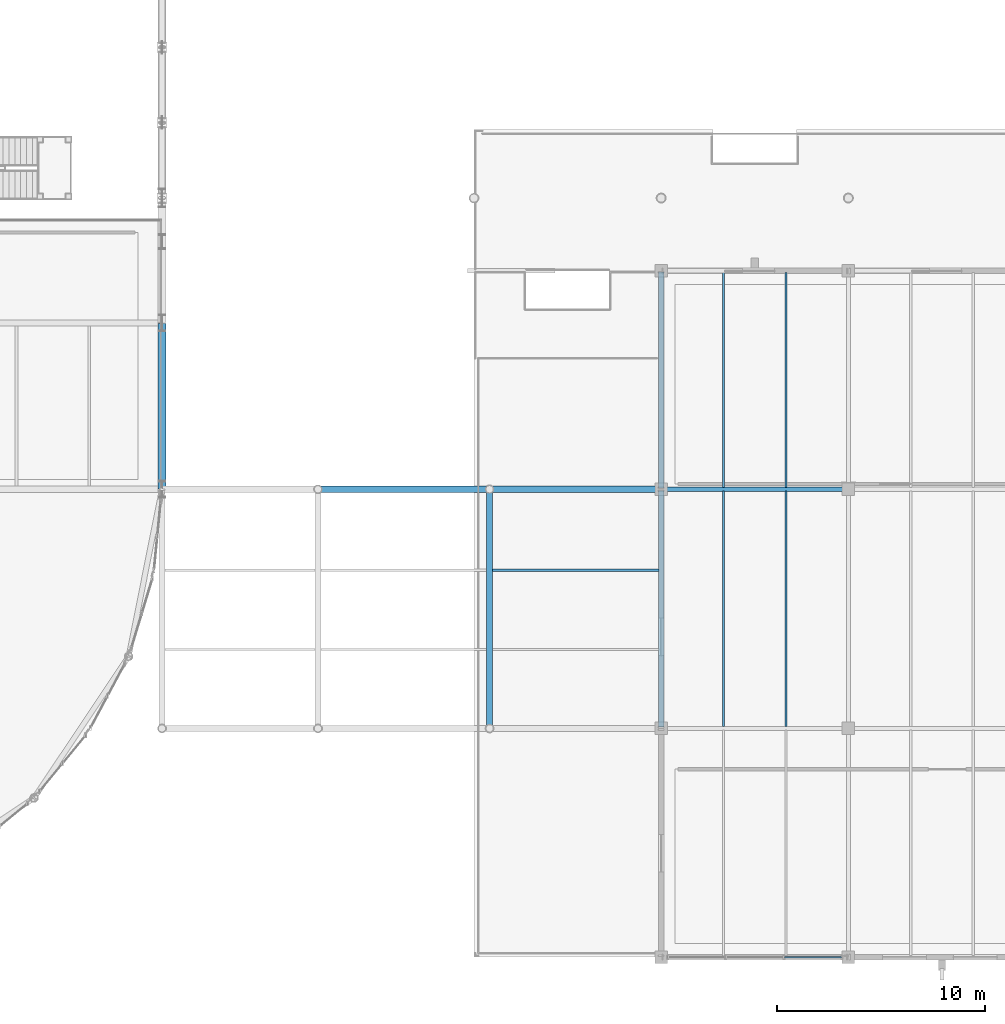
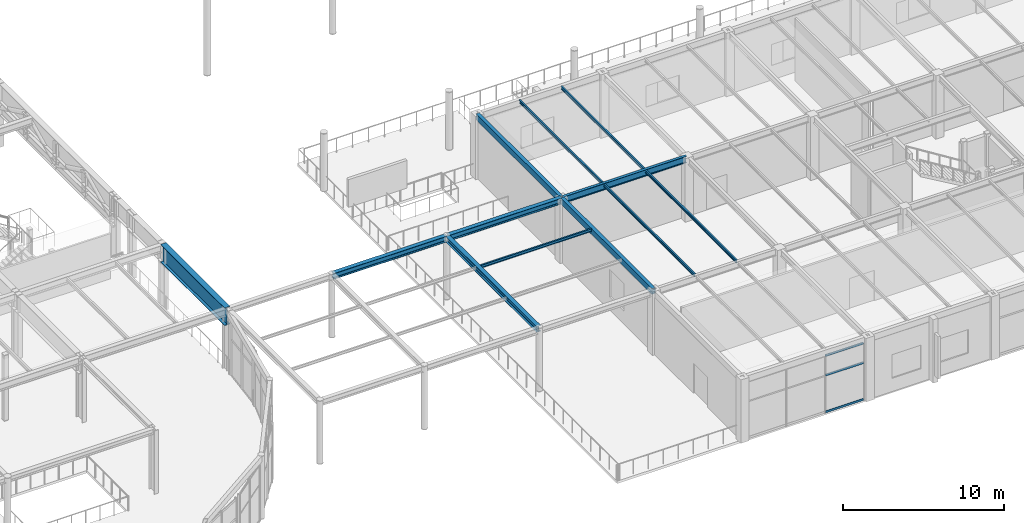
# One storey, part 52 of 143: 12 beams, 3 members, 1 element without a shape of its own.
"""IFC4 building model written with IfcOpenShell, lengths in metres."""

from ifc_helpers import new_model, si_unit, direction, frame, origin, origin_2d, place, context, subcontext, project, spatial, hollow_rectangle, i_section, extrude, material, layer, layer_set, material_profile, profile_set, type_object, element, aggregate, save


model = new_model("IFC4")

# Units and contexts
model_context = context("Model", 3, precision=1e-05, world=origin(), true_north=direction((0.0, 1.0)))
body_context = subcontext(model_context, "Body", "Model", "MODEL_VIEW")
ifc_project = project(units=[si_unit("LENGTHUNIT", "METRE"), si_unit("AREAUNIT", "SQUARE_METRE"), si_unit("VOLUMEUNIT", "CUBIC_METRE"), si_unit("PLANEANGLEUNIT", "RADIAN"), si_unit("MASSUNIT", "GRAM", prefix="KILO")], contexts=[model_context])

# Site, building, storey
site_placement = place(None, origin())
site = spatial("IfcSite", under=ifc_project, at=site_placement, CompositionType="ELEMENT")
building_placement = place(site_placement, origin())
building = spatial("IfcBuilding", under=site, at=building_placement, Name="Marlcrest Central Station", CompositionType="ELEMENT")
storey_placement = place(building_placement, frame((0.0, 0.0, 4.800048828125)))
storey = spatial("IfcBuildingStorey", under=building, at=storey_placement, Name="L01", CompositionType="ELEMENT", Elevation=4.800048828125)

# Beams
ifc_material_1 = material(Name="Steel S355", Category="steel")
ifc_material_profile_1 = material_profile(ifc_material_1, i_section(OverallWidth=0.199951171875, OverallDepth=0.5, WebThickness=0.01025390625, FlangeThickness=0.01611328125, FilletRadius=0.02099609375, at=origin_2d()), Name="IPE 500")
ifc_profile_set_1 = profile_set([ifc_material_profile_1], Name="Steel S355")
beam_type_1 = type_object("IfcBeamType", Name="BM-05", PredefinedType="BEAM", material=ifc_profile_set_1)
beam_1_placement = place(storey_placement, frame((153.06005859375, 22.5, 4.56494140625), z_axis=(1.0, 0.0, 0.0), x_axis=(0.0, 1.0, 0.0)))
element("IfcBeam", 1, at=beam_1_placement, inside=storey, type_object=beam_type_1, Name="bm-BM-05-L01-00873", PredefinedType="BEAM", context=body_context, shape_type="SweptSolid", body=[
    extrude(i_section(OverallWidth=0.199951171875, OverallDepth=0.5, WebThickness=0.01025390625, FlangeThickness=0.01611328125, FilletRadius=0.02099609375, at=origin_2d()), origin(), (0.0, 0.0, 1.0), 8.8798828125),
])
ifc_material_profile_2 = material_profile(ifc_material_1, i_section(OverallWidth=0.300048828125, OverallDepth=0.43994140625, WebThickness=0.011474609375, FlangeThickness=0.02099609375, FilletRadius=0.027099609375, at=origin_2d()), Name="HEA 450")
ifc_profile_set_2 = profile_set([ifc_material_profile_2], Name="Steel S355")
beam_type_2 = type_object("IfcBeamType", Name="BM-09", PredefinedType="BEAM", material=ifc_profile_set_2)
beam_2_placement = place(storey_placement, frame((144.75, 11.050048828125, 4.594970703125), z_axis=(0.0, 1.0, 0.0), x_axis=(-1.0, 0.0, 0.0)))
element("IfcBeam", 2, at=beam_2_placement, inside=storey, type_object=beam_type_2, Name="bm-BM-09-L01-01538", PredefinedType="BEAM", context=body_context, shape_type="SweptSolid", body=[
    extrude(i_section(OverallWidth=0.300048828125, OverallDepth=0.43994140625, WebThickness=0.011474609375, FlangeThickness=0.02099609375, FilletRadius=0.027099609375, at=origin_2d()), origin(), (0.0, 0.0, 1.0), 11.39990234375),
])
for number, where, z_axis, x_axis, name in (
    (3, (136.550048828125, 22.5, 4.594970703125), (1.0, 0.0, 0.0), (0.0, 1.0, 0.0), "bm-BM-09-L01-01550"),
    (4, (144.800048828125, 22.5, 4.594970703125), (1.0, 0.0, 0.0), (0.0, 1.0, 0.0), "bm-BM-09-L01-01551"),
):
    element("IfcBeam", number, at=place(storey_placement, frame(where, z_axis=z_axis, x_axis=x_axis)), inside=storey, type_object=beam_type_2, Name=name, PredefinedType="BEAM", context=body_context, shape_type="SweptSolid", body=[
        extrude(i_section(OverallWidth=0.300048828125, OverallDepth=0.43994140625, WebThickness=0.011474609375, FlangeThickness=0.02099609375, FilletRadius=0.027099609375, at=origin_2d()), origin(), (0.0, 0.0, 1.0), 8.14990234375),
    ])
ifc_material_profile_3 = material_profile(ifc_material_1, i_section(OverallWidth=0.110107421875, OverallDepth=0.219970703125, WebThickness=0.005859375, FlangeThickness=0.00927734375, FilletRadius=0.011962890625, at=origin_2d()), Name="IPE 220")
ifc_profile_set_3 = profile_set([ifc_material_profile_3], Name="Steel S355")
beam_type_3 = type_object("IfcBeamType", Name="JS-02", PredefinedType="JOIST", material=ifc_profile_set_3)
beam_3_placement = place(storey_placement, frame((156.0, 11.0830078125, 4.704833984375), z_axis=(0.0, 1.0, 0.0), x_axis=(-1.0, 0.0, 0.0)))
element("IfcBeam", 5, at=beam_3_placement, inside=storey, type_object=beam_type_3, Name="bm-JS-02-L01-00912", PredefinedType="JOIST", context=body_context, shape_type="SweptSolid", body=[
    extrude(i_section(OverallWidth=0.110107421875, OverallDepth=0.219970703125, WebThickness=0.005859375, FlangeThickness=0.00927734375, FilletRadius=0.011962890625, at=origin_2d()), origin(), (0.0, 0.0, 1.0), 11.333984375),
])
beam_4_placement = place(storey_placement, frame((156.0, 22.5830078125, 4.704833984375), z_axis=(0.0, 1.0, 0.0), x_axis=(-1.0, 0.0, 0.0)))
element("IfcBeam", 6, at=beam_4_placement, inside=storey, type_object=beam_type_3, Name="bm-JS-02-L01-00913", PredefinedType="JOIST", context=body_context, shape_type="SweptSolid", body=[
    extrude(i_section(OverallWidth=0.110107421875, OverallDepth=0.219970703125, WebThickness=0.005859375, FlangeThickness=0.00927734375, FilletRadius=0.011962890625, at=origin_2d()), origin(), (0.0, 0.0, 1.0), 10.333984375),
])
beam_5_placement = place(storey_placement, frame((159.0, 11.0830078125, 4.704833984375), z_axis=(0.0, 1.0, 0.0), x_axis=(-1.0, 0.0, 0.0)))
element("IfcBeam", 7, at=beam_5_placement, inside=storey, type_object=beam_type_3, Name="bm-JS-02-L01-00915", PredefinedType="JOIST", context=body_context, shape_type="SweptSolid", body=[
    extrude(i_section(OverallWidth=0.110107421875, OverallDepth=0.219970703125, WebThickness=0.005859375, FlangeThickness=0.00927734375, FilletRadius=0.011962890625, at=origin_2d()), origin(), (0.0, 0.0, 1.0), 11.333984375),
])
beam_6_placement = place(storey_placement, frame((159.0, 22.5830078125, 4.704833984375), z_axis=(0.0, 1.0, 0.0), x_axis=(-1.0, 0.0, 0.0)))
element("IfcBeam", 8, at=beam_6_placement, inside=storey, type_object=beam_type_3, Name="bm-JS-02-L01-00916", PredefinedType="JOIST", context=body_context, shape_type="SweptSolid", body=[
    extrude(i_section(OverallWidth=0.110107421875, OverallDepth=0.219970703125, WebThickness=0.005859375, FlangeThickness=0.00927734375, FilletRadius=0.011962890625, at=origin_2d()), origin(), (0.0, 0.0, 1.0), 10.333984375),
])
beam_7_placement = place(storey_placement, frame((144.89501953125, 18.60009765625, 4.704833984375), z_axis=(1.0, 0.0, 0.0), x_axis=(0.0, 1.0, 0.0)))
element("IfcBeam", 9, at=beam_7_placement, inside=storey, type_object=beam_type_3, Name="bm-JS-02-L01-01548", PredefinedType="JOIST", context=body_context, shape_type="SweptSolid", body=[
    extrude(i_section(OverallWidth=0.110107421875, OverallDepth=0.219970703125, WebThickness=0.005859375, FlangeThickness=0.00927734375, FilletRadius=0.011962890625, at=origin_2d()), origin(), (0.0, 0.0, 1.0), 8.010009765625),
])
ifc_material_profile_4 = material_profile(ifc_material_1, hollow_rectangle(XDim=0.25, YDim=0.449951171875, WallThickness=0.01611328125, at=origin_2d()), Name="RHS 450x250x16")
ifc_profile_set_4 = profile_set([ifc_material_profile_4], Name="Steel S355")
beam_type_4 = type_object("IfcBeamType", Name="SP-02", PredefinedType="SPANDREL", material=ifc_profile_set_4)
beam_8_placement = place(storey_placement, frame((153.0, 11.06005859375, 4.58984375), z_axis=(0.0, 1.0, 0.0), x_axis=(-1.0, 0.0, 0.0)))
element("IfcBeam", 10, at=beam_8_placement, inside=storey, type_object=beam_type_4, Name="bm-SP-02-L01-00888", PredefinedType="SPANDREL", context=body_context, shape_type="SweptSolid", body=[
    extrude(hollow_rectangle(XDim=0.25, YDim=0.449951171875, WallThickness=0.01611328125, at=origin_2d()), origin(), (0.0, 0.0, 1.0), 11.3798828125),
])
beam_9_placement = place(storey_placement, frame((153.0, 22.56005859375, 4.58984375), z_axis=(0.0, 1.0, 0.0), x_axis=(-1.0, 0.0, 0.0)))
element("IfcBeam", 11, at=beam_9_placement, inside=storey, type_object=beam_type_4, Name="bm-SP-02-L01-00889", PredefinedType="SPANDREL", context=body_context, shape_type="SweptSolid", body=[
    extrude(hollow_rectangle(XDim=0.25, YDim=0.449951171875, WallThickness=0.01611328125, at=origin_2d()), origin(), (0.0, 0.0, 1.0), 10.3798828125),
])
ifc_material_profile_5 = material_profile(ifc_material_1, i_section(OverallWidth=0.39990234375, OverallDepth=1.35009765625, WebThickness=0.02197265625, FlangeThickness=0.034912109375, at=origin_2d()), Name="PG 1350x400")
ifc_profile_set_5 = profile_set([ifc_material_profile_5], Name="Steel S355")
beam_type_5 = type_object("IfcBeamType", Name="TG-01", PredefinedType="USERDEFINED", material=ifc_profile_set_5)
beam_10_placement = place(storey_placement, frame((129.0, 22.52001953125, 4.139892578125), z_axis=(0.0, 1.0, 0.0), x_axis=(-1.0, 0.0, 0.0)))
element("IfcBeam", 12, at=beam_10_placement, inside=storey, type_object=beam_type_5, Name="bm-TG-01-L01-01236", ObjectType="TRANSFER_GIRDER", PredefinedType="USERDEFINED", context=body_context, shape_type="SweptSolid", body=[
    extrude(i_section(OverallWidth=0.39990234375, OverallDepth=1.35009765625, WebThickness=0.02197265625, FlangeThickness=0.034912109375, at=origin_2d()), origin(), (0.0, 0.0, 1.0), 7.9599609375),
])

# Curtain wall, members
ifc_material_2 = material(Name="Anodised aluminium and hurricane laminated glass", Category="aluminium")
ifc_layer = layer(ifc_material_2, 0.179931640625, Name="CW-S1")
ifc_layer_set = layer_set([ifc_layer], Name="Anodised aluminium and hurricane laminated glass")
curtain_wall_type = type_object("IfcCurtainWallType", Name="CW-S1", PredefinedType="USERDEFINED", material=ifc_layer_set)
curtain_wall_placement = place(storey_placement, origin())
curtain_wall = element("IfcCurtainWall", 13, at=curtain_wall_placement, inside=storey, type_object=curtain_wall_type, Name="cw-L01-0149", ObjectType="STICK_CURTAIN_WALL", PredefinedType="USERDEFINED")
ifc_material_3 = material(Name="Anodised aluminium 6063-T6", Category="aluminium")
ifc_material_profile_6 = material_profile(ifc_material_3, hollow_rectangle(XDim=0.06005859375, YDim=0.14990234375, WallThickness=0.00390625, at=origin_2d()), Name="AA-RHS 150x60x4")
ifc_profile_set_6 = profile_set([ifc_material_profile_6], Name="Anodised aluminium 6063-T6")
member_type = type_object("IfcMemberType", Name="TR-01", PredefinedType="USERDEFINED", material=ifc_profile_set_6)
member_1_placement = place(storey_placement, frame((161.6669921875, 0.0, 0.0400390625), z_axis=(-1.0, 0.0, 0.0), x_axis=(0.0, -1.0, 0.0)))
member_1 = element("IfcMember", 14, at=member_1_placement, type_object=member_type, Name="cw-L01-0149-tr-0-sill", ObjectType="TRANSOM", PredefinedType="USERDEFINED", context=body_context, shape_type="SweptSolid", body=[
    extrude(hollow_rectangle(XDim=0.06005859375, YDim=0.14990234375, WallThickness=0.00390625, at=origin_2d()), origin(), (0.0, 0.0, 1.0), 2.73388671875),
])
member_2_placement = place(storey_placement, frame((161.6669921875, 0.0, 2.827880859375), z_axis=(-1.0, 0.0, 0.0), x_axis=(0.0, -1.0, 0.0)))
member_2 = element("IfcMember", 15, at=member_2_placement, type_object=member_type, Name="cw-L01-0149-tr-0-mid", ObjectType="TRANSOM", PredefinedType="USERDEFINED", context=body_context, shape_type="SweptSolid", body=[
    extrude(hollow_rectangle(XDim=0.06005859375, YDim=0.14990234375, WallThickness=0.00390625, at=origin_2d()), origin(), (0.0, 0.0, 1.0), 2.73388671875),
])
member_3_placement = place(storey_placement, frame((161.6669921875, 0.0, 4.31005859375), z_axis=(-1.0, 0.0, 0.0), x_axis=(0.0, -1.0, 0.0)))
member_3 = element("IfcMember", 16, at=member_3_placement, type_object=member_type, Name="cw-L01-0149-tr-0-head", ObjectType="TRANSOM", PredefinedType="USERDEFINED", context=body_context, shape_type="SweptSolid", body=[
    extrude(hollow_rectangle(XDim=0.06005859375, YDim=0.14990234375, WallThickness=0.00390625, at=origin_2d()), origin(), (0.0, 0.0, 1.0), 2.73388671875),
])
aggregate(curtain_wall, [member_1, member_2, member_3])

save(model, "model.ifc")
